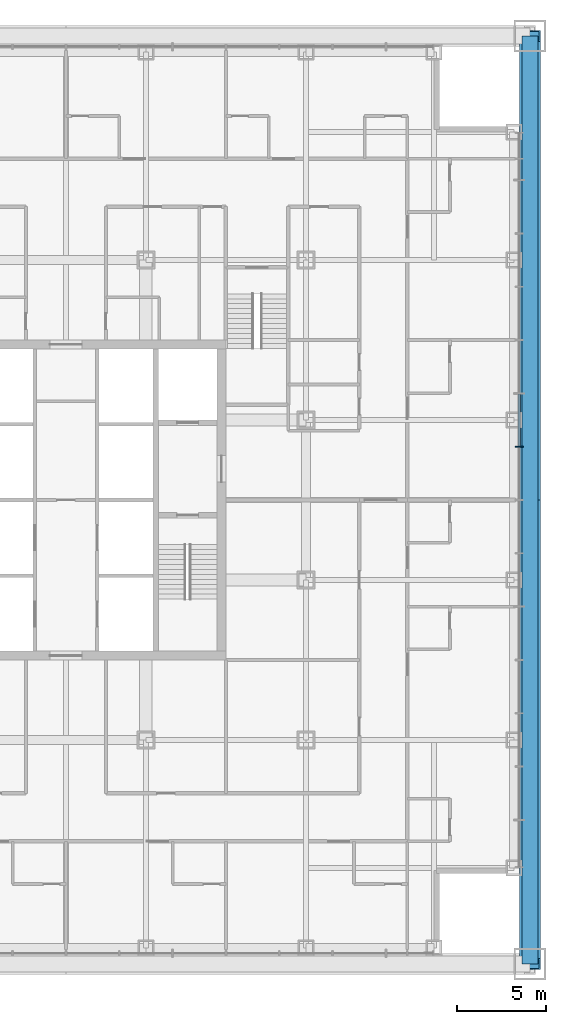
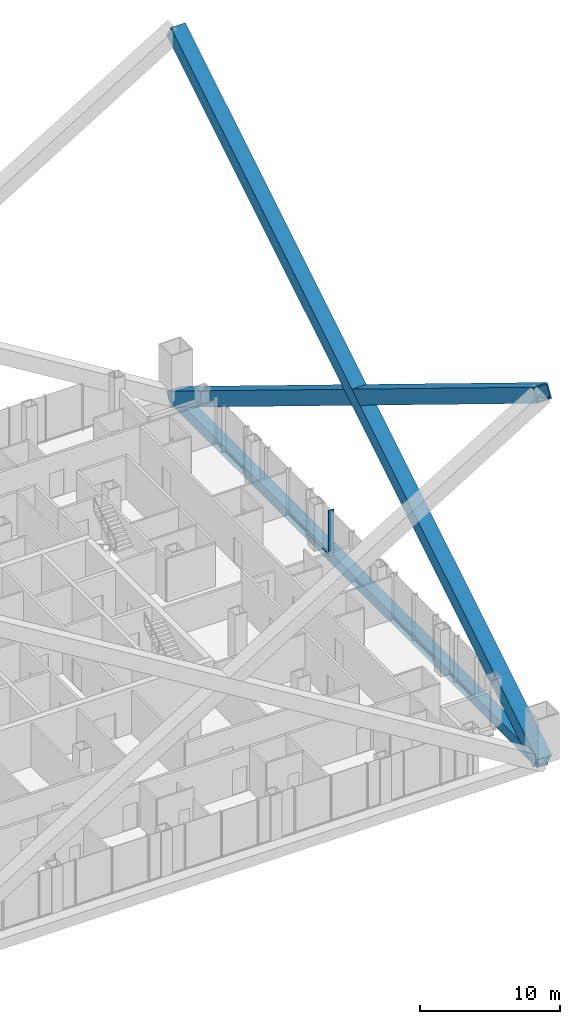
# One storey, part 7 of 21: 5 members, 1 element without a shape of its own.
"""IFC4 building model written with IfcOpenShell, lengths in metres."""

from ifc_helpers import new_model, si_unit, direction, frame, origin, origin_2d, place, context, subcontext, project, spatial, rectangle, hollow_rectangle, extrude, material, layer, layer_set, material_profile, profile_set, type_object, element, aggregate, save


model = new_model("IFC4")

# Units and contexts
model_context = context("Model", 3, precision=1e-05, world=origin(), true_north=direction((0.0, 1.0)))
body_context = subcontext(model_context, "Body", "Model", "MODEL_VIEW")
ifc_project = project(units=[si_unit("LENGTHUNIT", "METRE"), si_unit("AREAUNIT", "SQUARE_METRE"), si_unit("VOLUMEUNIT", "CUBIC_METRE"), si_unit("PLANEANGLEUNIT", "RADIAN"), si_unit("MASSUNIT", "GRAM", prefix="KILO")], contexts=[model_context])

# Site, building, storey
site_placement = place(None, origin())
site = spatial("IfcSite", under=ifc_project, at=site_placement, CompositionType="ELEMENT")
building_placement = place(site_placement, origin())
building = spatial("IfcBuilding", under=site, at=building_placement, Name="Malebo Sky Hospital", CompositionType="ELEMENT")
storey_placement = place(building_placement, frame((0.0, 0.0, 63.0)))
storey = spatial("IfcBuildingStorey", under=building, at=storey_placement, Name="L14", CompositionType="ELEMENT", Elevation=63.0)

# Curtain wall, members
ifc_material_1 = material(Name="Anodised aluminium, natural silver", Category="aluminium")
ifc_layer = layer(ifc_material_1, 0.25)
ifc_layer_set = layer_set([ifc_layer], Name="WARD CURTAIN WALL EAST AND WEST")
curtain_wall_type = type_object("IfcCurtainWallType", Name="WARD CURTAIN WALL EAST AND WEST", PredefinedType="NOTDEFINED", material=ifc_layer_set)
curtain_wall_placement = place(storey_placement, origin())
curtain_wall = element("IfcCurtainWall", 1, at=curtain_wall_placement, inside=storey, type_object=curtain_wall_type, Name="EW curtain wall E", PredefinedType="NOTDEFINED")
ifc_material_profile_1 = material_profile(ifc_material_1, rectangle(XDim=0.14990234375, YDim=0.10009765625, at=origin_2d()), Name="ALUMINIUM TRANSOM 150x100")
ifc_profile_set_1 = profile_set([ifc_material_profile_1], Name="Anodised aluminium, natural silver")
member_type_1 = type_object("IfcMemberType", Name="ALUMINIUM TRANSOM 150x100", PredefinedType="USERDEFINED", material=ifc_profile_set_1)
member_1_placement = place(storey_placement, frame((85.5, 67.96240234375, 0.050048828125), z_axis=(0.0, -1.0, 0.0), x_axis=(1.0, 0.0, 0.0)))
member_1 = element("IfcMember", 2, at=member_1_placement, type_object=member_type_1, Name="Transom 7", ObjectType="TRANSOM", PredefinedType="USERDEFINED", context=body_context, shape_type="SweptSolid", body=[
    extrude(rectangle(XDim=0.14990234375, YDim=0.10009765625, at=origin_2d()), origin(), (0.0, 0.0, 1.0), 2.9248046875),
])
ifc_material_profile_2 = material_profile(ifc_material_1, rectangle(XDim=0.074951171875, YDim=0.449951171875, at=origin_2d()), Name="CW2 ALUMINIUM FIN MULLION 75x450")
ifc_profile_set_2 = profile_set([ifc_material_profile_2], Name="Anodised aluminium, natural silver")
member_type_2 = type_object("IfcMemberType", Name="CW2 ALUMINIUM FIN MULLION 75x450", PredefinedType="MULLION", material=ifc_profile_set_2)
member_2_placement = place(storey_placement, frame((85.5, 65.0, 0.0), z_axis=(0.0, 0.0, 1.0), x_axis=(0.0, -1.0, 0.0)))
member_2 = element("IfcMember", 3, at=member_2_placement, type_object=member_type_2, Name="Fin mullion 8", PredefinedType="MULLION", context=body_context, shape_type="SweptSolid", body=[
    extrude(rectangle(XDim=0.074951171875, YDim=0.449951171875, at=origin_2d()), origin(), (0.0, 0.0, 1.0), 4.0),
])
aggregate(curtain_wall, [member_2, member_1])

# Members
ifc_material_2 = material(Name="Steel S460", Category="steel")
ifc_material_profile_3 = material_profile(ifc_material_2, hollow_rectangle(XDim=1.199951171875, YDim=1.199951171875, WallThickness=0.10009765625, at=origin_2d()), Name="BOX 1200x1200x100")
ifc_profile_set_3 = profile_set([ifc_material_profile_3], Name="Steel S460")
member_type_3 = type_object("IfcMemberType", Name="MEGA BRACE BOX 1200x1200x100", PredefinedType="BRACE", material=ifc_profile_set_3)
for number, where, z_axis, x_axis, name in (
    (4, (86.10009765625, 35.89990234375, -0.39990234375), (0.0, 0.85255517375, 0.522637231464), (-1.0, 0.0, 0.0), "Mega brace A2E1 L14-L22"),
    (5, (86.10009765625, 88.10009765625, -0.39990234375), (0.0, -0.85255517375, 0.522637231464), (1.0, 0.0, 0.0), "Mega brace A2E2 L14-L22"),
):
    element("IfcMember", number, at=place(storey_placement, frame(where, z_axis=z_axis, x_axis=x_axis)), inside=storey, type_object=member_type_3, Name=name, PredefinedType="BRACE", context=body_context, shape_type="SweptSolid", body=[
        extrude(hollow_rectangle(XDim=1.199951171875, YDim=1.199951171875, WallThickness=0.10009765625, at=origin_2d()), origin(), (0.0, 0.0, 1.0), 61.22802734375),
    ])
ifc_material_profile_4 = material_profile(ifc_material_2, hollow_rectangle(XDim=0.89990234375, YDim=0.89990234375, WallThickness=0.050048828125, at=origin_2d()), Name="BOX 900x900x50")
ifc_profile_set_4 = profile_set([ifc_material_profile_4], Name="Steel S460")
member_type_4 = type_object("IfcMemberType", Name="MEGA TIE BOX 900x900x50", PredefinedType="CHORD", material=ifc_profile_set_4)
member_3_placement = place(storey_placement, frame((86.10009765625, 35.89990234375, -0.39990234375), z_axis=(0.0, 1.0, 0.0), x_axis=(-1.0, 0.0, 0.0)))
element("IfcMember", 6, at=member_3_placement, inside=storey, type_object=member_type_4, Name="Mega tie AE L14", PredefinedType="CHORD", context=body_context, shape_type="SweptSolid", body=[
    extrude(hollow_rectangle(XDim=0.89990234375, YDim=0.89990234375, WallThickness=0.050048828125, at=origin_2d()), origin(), (0.0, 0.0, 1.0), 52.2001953125),
])

save(model, "model.ifc")
